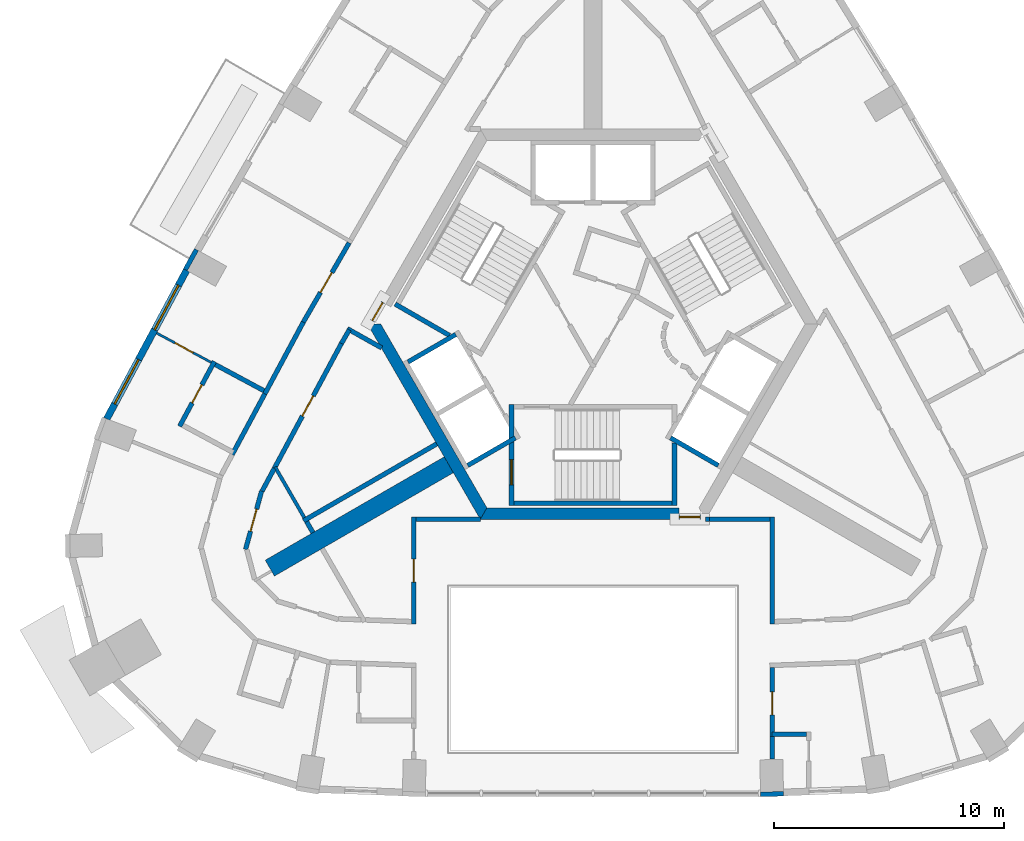
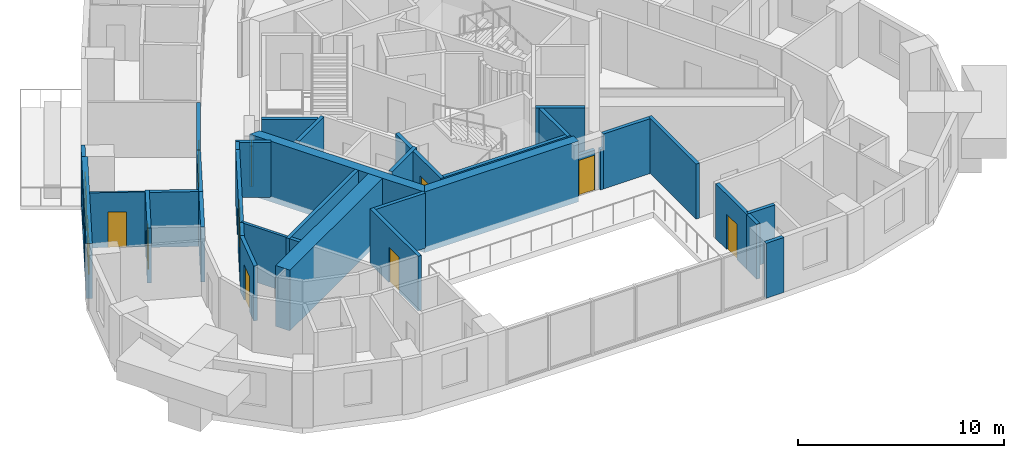
# One storey, part 4 of 11: 37 walls, 10 doors, 2 windows, 12 openings.
"""IFC4 building model written with IfcOpenShell, lengths in metres."""

from ifc_helpers import new_model, si_unit, direction, frame, frame_2d, origin, place, context, subcontext, project, spatial, polyline, rectangle, outline, extrude, material, layer, layer_set, type_object, element, fill, save


model = new_model("IFC4")

# Units and contexts
model_context = context("Model", 3, precision=1e-05, world=origin(), true_north=direction((0.0, 1.0)))
body_context = subcontext(model_context, "Body", "Model", "MODEL_VIEW")
ifc_project = project(units=[si_unit("LENGTHUNIT", "METRE"), si_unit("AREAUNIT", "SQUARE_METRE"), si_unit("VOLUMEUNIT", "CUBIC_METRE"), si_unit("PLANEANGLEUNIT", "RADIAN"), si_unit("MASSUNIT", "GRAM", prefix="KILO")], contexts=[model_context])

# Site, building, storey
site_placement = place(None, origin())
site = spatial("IfcSite", under=ifc_project, at=site_placement, CompositionType="ELEMENT")
building_placement = place(site_placement, origin())
building = spatial("IfcBuilding", under=site, at=building_placement, Name="Entoto Arch Interchange Tower", CompositionType="ELEMENT")
storey_placement = place(building_placement, frame((0.0, 0.0, 304.39990234375)))
storey = spatial("IfcBuildingStorey", under=building, at=storey_placement, Name="L71", CompositionType="ELEMENT", Elevation=304.39990234375)

# Wall
ifc_material_1 = material(Name="Concrete C40/50", Category="concrete")
ifc_layer_1 = layer(ifc_material_1, 0.800048828125)
ifc_layer_set_1 = layer_set([ifc_layer_1], Name="Concrete C40/50")
wall_type_1 = type_object("IfcWallType", Name="Buttress wall 800 C40/50", PredefinedType="SHEAR", material=ifc_layer_set_1)
wall_1_placement = place(storey_placement, frame((-6.279052734375, -3.625, -0.33984375), z_axis=(0.0, 0.0, 1.0), x_axis=(-0.866017533419, -0.500013631625, 0.0)))
element("IfcWall", 1, at=wall_1_placement, inside=storey, type_object=wall_type_1, Name="Buttress wall SW L71", PredefinedType="SHEAR", context=body_context, shape_type="SweptSolid", body=[
    extrude(rectangle(XDim=8.999755859375, YDim=0.800048828125, at=frame_2d((4.5, 0.0))), origin(), (0.0, 0.0, 1.0), 3.599853515625),
])

# Wall, opening, door
ifc_material_2 = material(Name="Reinforced concrete C40/50", Category="concrete")
ifc_layer_2 = layer(ifc_material_2, 0.199951171875)
ifc_layer_set_2 = layer_set([ifc_layer_2], Name="Reinforced concrete C40/50")
wall_type_2 = type_object("IfcWallType", Name="CORE GAP INFILL WALL", PredefinedType="PARTITIONING", material=ifc_layer_set_2)
wall_2_placement = place(storey_placement, frame((3.75, -5.89990234375, 0.0), z_axis=(0.0, 0.0, 1.0), x_axis=(1.0, 0.0, 0.0)))
wall_2 = element("IfcWall", 2, at=wall_2_placement, inside=storey, type_object=wall_type_2, Name="wall:L71:gap1", PredefinedType="PARTITIONING", context=body_context, shape_type="SweptSolid", body=[
    extrude(rectangle(XDim=0.926025390625, YDim=0.199951171875, at=frame_2d((0.462890625, 0.0))), origin(), (0.0, 0.0, 1.0), 2.400146484375),
])
opening_1_placement = place(wall_2_placement, frame((0.01708984375, 0.0, 0.0)))
opening_1 = element("IfcOpeningElement", 3, at=opening_1_placement, cuts=wall_2, Name="Opening L71-D91", PredefinedType="OPENING", context=body_context, shape_type="SweptSolid", body=[
    extrude(rectangle(XDim=0.89990234375, YDim=2.10009765625, at=frame_2d((0.449951171875, 1.050048828125))), frame((0.0, 0.10986328125, 0.0), z_axis=(0.0, -1.0, 0.0), x_axis=(1.0, 0.0, 0.0)), (0.0, 0.0, 1.0), 0.219970703125),
])
ifc_material_3 = material(Name="Fire-rated Steel S235 door and frame", Category="steel")
door_type_1 = type_object("IfcDoorType", Name="DOOR FD-09 900x2100", OperationType="SINGLE_SWING_LEFT", PredefinedType="DOOR", material=ifc_material_3)
door_1_placement = place(opening_1_placement, origin())
door_1 = element("IfcDoor", 4, at=door_1_placement, inside=storey, type_object=door_type_1, Name="door:L71:gap1", OperationType="SINGLE_SWING_LEFT", OverallHeight=2.10009765625, OverallWidth=0.89990234375, PredefinedType="DOOR", context=body_context, shape_type="SweptSolid", body=[
    extrude(rectangle(XDim=0.89990234375, YDim=2.10009765625, at=frame_2d((0.449951171875, 1.050048828125))), frame((0.0, 0.02490234375, 0.0), z_axis=(0.0, -1.0, 0.0), x_axis=(1.0, 0.0, 0.0)), (0.0, 0.0, 1.0), 0.050048828125),
])
fill(opening_1, door_1)

wall_3_placement = place(storey_placement, frame((-9.14990234375, 3.451904296875, 0.0), z_axis=(0.0, 0.0, 1.0), x_axis=(-0.500079945886, -0.865979242085, 0.0)))
wall_3 = element("IfcWall", 5, at=wall_3_placement, inside=storey, type_object=wall_type_2, Name="wall:L71:gap3", PredefinedType="PARTITIONING", context=body_context, shape_type="SweptSolid", body=[
    extrude(rectangle(XDim=0.926025390625, YDim=0.199951171875, at=frame_2d((0.462890625, 0.0))), origin(), (0.0, 0.0, 1.0), 2.400146484375),
])
opening_2_placement = place(wall_3_placement, frame((0.01708984375, 0.0, 0.0)))
opening_2 = element("IfcOpeningElement", 6, at=opening_2_placement, cuts=wall_3, Name="Opening L71-D93", PredefinedType="OPENING", context=body_context, shape_type="SweptSolid", body=[
    extrude(rectangle(XDim=0.89990234375, YDim=2.10009765625, at=frame_2d((0.449951171875, 1.050048828125))), frame((0.0, 0.10986328125, 0.0), z_axis=(0.0, -1.0, 0.0), x_axis=(1.0, 0.0, 0.0)), (0.0, 0.0, 1.0), 0.219970703125),
])
door_2_placement = place(opening_2_placement, origin())
door_2 = element("IfcDoor", 7, at=door_2_placement, inside=storey, type_object=door_type_1, Name="door:L71:gap3", OperationType="SINGLE_SWING_LEFT", OverallHeight=2.10009765625, OverallWidth=0.89990234375, PredefinedType="DOOR", context=body_context, shape_type="SweptSolid", body=[
    extrude(rectangle(XDim=0.89990234375, YDim=2.10009765625, at=frame_2d((0.449951171875, 1.050048828125))), frame((0.0, 0.02490234375, 0.0), z_axis=(0.0, -1.0, 0.0), x_axis=(1.0, 0.0, 0.0)), (0.0, 0.0, 1.0), 0.050048828125),
])
fill(opening_2, door_2)

# Walls
ifc_layer_3 = layer(ifc_material_1, 0.5)
ifc_layer_set_3 = layer_set([ifc_layer_3], Name="Concrete C40/50")
wall_type_3 = type_object("IfcWallType", Name="Core wall 500 C40/50", PredefinedType="SHEAR", material=ifc_layer_set_3)
wall_4_placement = place(storey_placement, frame((0.0, 0.0, -0.33984375)))
element("IfcWall", 8, at=wall_4_placement, inside=storey, type_object=wall_type_3, Name="Core wall SW L71", PredefinedType="SHEAR", context=body_context, shape_type="SweptSolid", body=[
    extrude(outline(polyline([(-9.81494140625, 2.5), (-4.906982421875, -6.0), (-4.618896484375, -5.5), (-9.238037109375, 2.5), (-9.81494140625, 2.5)])), origin(), (0.0, 0.0, 1.0), 3.599853515625),
])
wall_5_placement = place(storey_placement, frame((0.0, 0.0, -0.33984375)))
element("IfcWall", 9, at=wall_5_placement, inside=storey, type_object=wall_type_3, Name="Core wall S L71", PredefinedType="SHEAR", context=body_context, shape_type="SweptSolid", body=[
    extrude(outline(polyline([(3.75, -6.0), (3.75, -5.5), (-4.618896484375, -5.5), (-4.906982421875, -6.0), (3.75, -6.0)])), origin(), (0.0, 0.0, 1.0), 3.599853515625),
])
ifc_layer_4 = layer(ifc_material_1, 0.199951171875)
ifc_layer_set_4 = layer_set([ifc_layer_4], Name="Concrete C40/50")
wall_type_4 = type_object("IfcWallType", Name="LIFT SHAFT WALL 200", PredefinedType="STANDARD", material=ifc_layer_set_4)
wall_6_placement = place(storey_placement, frame((-5.97705078125, 2.052001953125, 0.0), z_axis=(0.0, 0.0, 1.0), x_axis=(-0.865973769406, -0.500089422704, 0.0)))
element("IfcWall", 10, at=wall_6_placement, inside=storey, type_object=wall_type_4, Name="Shaft wall SW1 cross 1", PredefinedType="STANDARD", context=body_context, shape_type="SweptSolid", body=[
    extrude(rectangle(XDim=2.3994140625, YDim=0.199951171875, at=frame_2d((1.19970703125, 0.0))), origin(), (0.0, 0.0, 1.0), 3.260009765625),
])
for number, where, z_axis, x_axis, name in (
    (11, (-3.376953125, -2.451904296875, 0.0), (0.0, 0.0, 1.0), (-0.865955154139, -0.50012165622, 0.0), "Shaft wall SW1 cross 3"),
    (12, (3.376953125, -2.451904296875, 0.0), (0.0, 0.0, 1.0), (0.865955154139, -0.50012165622, 0.0), "Shaft wall SE1 cross 1"),
):
    element("IfcWall", number, at=place(storey_placement, frame(where, z_axis=z_axis, x_axis=x_axis)), inside=storey, type_object=wall_type_4, Name=name, PredefinedType="STANDARD", context=body_context, shape_type="SweptSolid", body=[
        extrude(rectangle(XDim=2.39990234375, YDim=0.199951171875, at=frame_2d((1.199951171875, 0.0))), origin(), (0.0, 0.0, 1.0), 3.260009765625),
    ])

# Wall, opening, door
ifc_material_4 = material(Name="Gypsum board partition on steel studs", Category="steel")
ifc_layer_5 = layer(ifc_material_4, 0.10009765625)
ifc_layer_set_5 = layer_set([ifc_layer_5], Name="Gypsum board partition on steel studs")
wall_type_5 = type_object("IfcWallType", Name="PARTITION 100", PredefinedType="PARTITIONING", material=ifc_layer_set_5)
wall_7_placement = place(storey_placement, frame((-16.62109375, 0.83203125, 0.0), z_axis=(0.0, 0.0, 1.0), x_axis=(-0.880914863524, 0.47327476504, 0.0)))
wall_7 = element("IfcWall", 13, at=wall_7_placement, inside=storey, type_object=wall_type_5, Name="wall:L71:p120", PredefinedType="PARTITIONING", context=body_context, shape_type="SweptSolid", body=[
    extrude(rectangle(XDim=2.700439453125, YDim=0.10009765625, at=frame_2d((1.35009765625, 0.0))), origin(), (0.0, 0.0, 1.0), 3.260009765625),
])
opening_3_placement = place(wall_7_placement, frame((0.89990234375, 0.0, 0.0)))
opening_3 = element("IfcOpeningElement", 14, at=opening_3_placement, cuts=wall_7, Name="Opening L71-D19", PredefinedType="OPENING", context=body_context, shape_type="SweptSolid", body=[
    extrude(rectangle(XDim=0.89990234375, YDim=2.10009765625, at=frame_2d((0.449951171875, 1.050048828125))), frame((0.0, 0.06005859375, 0.0), z_axis=(0.0, -1.0, 0.0), x_axis=(1.0, 0.0, 0.0)), (0.0, 0.0, 1.0), 0.1201171875),
])
ifc_material_5 = material(Name="Timber door leaf in Steel S235 frame", Category="steel")
door_type_2 = type_object("IfcDoorType", Name="DOOR DS-09 900x2100", OperationType="SINGLE_SWING_LEFT", PredefinedType="DOOR", material=ifc_material_5)
door_3_placement = place(opening_3_placement, origin())
door_3 = element("IfcDoor", 15, at=door_3_placement, inside=storey, type_object=door_type_2, Name="door:L71:19", OperationType="SINGLE_SWING_LEFT", OverallHeight=2.10009765625, OverallWidth=0.89990234375, PredefinedType="DOOR", context=body_context, shape_type="SweptSolid", body=[
    extrude(rectangle(XDim=0.89990234375, YDim=2.10009765625, at=frame_2d((0.449951171875, 1.050048828125))), frame((0.0, 0.02490234375, 0.0), z_axis=(0.0, -1.0, 0.0), x_axis=(1.0, 0.0, 0.0)), (0.0, 0.0, 1.0), 0.050048828125),
])
fill(opening_3, door_3)

# Walls
ifc_layer_6 = layer(ifc_material_4, 0.14990234375)
ifc_layer_set_6 = layer_set([ifc_layer_6], Name="Gypsum board partition on steel studs")
wall_type_6 = type_object("IfcWallType", Name="PARTITION 150", PredefinedType="PARTITIONING", material=ifc_layer_set_6)
wall_8_placement = place(storey_placement, frame((-12.570068359375, -5.927001953125, 0.0), z_axis=(0.0, 0.0, 1.0), x_axis=(-0.500197803108, 0.865911171983, 0.0)))
element("IfcWall", 16, at=wall_8_placement, inside=storey, type_object=wall_type_6, Name="wall:L71:p086", PredefinedType="PARTITIONING", context=body_context, shape_type="SweptSolid", body=[
    extrude(rectangle(XDim=2.548828125, YDim=0.14990234375, at=frame_2d((1.2744140625, 0.0))), origin(), (0.0, 0.0, 1.0), 3.260009765625),
])
ifc_layer_7 = layer(ifc_material_4, 0.199951171875)
ifc_layer_set_7 = layer_set([ifc_layer_7], Name="Gypsum board partition on steel studs")
wall_type_7 = type_object("IfcWallType", Name="PARTITION 200", PredefinedType="PARTITIONING", material=ifc_layer_set_7)
wall_9_placement = place(storey_placement, frame((-9.202880859375, 1.465087890625, 0.0), z_axis=(0.0, 0.0, 1.0), x_axis=(-0.872243753731, 0.489071399775, 0.0)))
element("IfcWall", 17, at=wall_9_placement, inside=storey, type_object=wall_type_7, Name="wall:L71:p021", PredefinedType="PARTITIONING", context=body_context, shape_type="SweptSolid", body=[
    extrude(rectangle(XDim=1.71533203125, YDim=0.199951171875, at=frame_2d((0.857666015625, 0.0))), origin(), (0.0, 0.0, 1.0), 3.260009765625),
])
wall_10_placement = place(storey_placement, frame((-10.612060546875, 2.2548828125, 0.0), z_axis=(0.0, 0.0, 1.0), x_axis=(-0.499916971989, -0.866073334723, 0.0)))
element("IfcWall", 18, at=wall_10_placement, inside=storey, type_object=wall_type_7, Name="wall:L71:p022", PredefinedType="PARTITIONING", context=body_context, shape_type="SweptSolid", body=[
    extrude(rectangle(XDim=0.68798828125, YDim=0.199951171875, at=frame_2d((0.343994140625, 0.0))), origin(), (0.0, 0.0, 1.0), 3.260009765625),
])

# Wall, opening, door
wall_11_placement = place(storey_placement, frame((-10.9560546875, 1.658935546875, 0.0), z_axis=(0.0, 0.0, 1.0), x_axis=(-0.473095976848, -0.881010894762, 0.0)))
wall_11 = element("IfcWall", 19, at=wall_11_placement, inside=storey, type_object=wall_type_7, Name="wall:L71:p023", PredefinedType="PARTITIONING", context=body_context, shape_type="SweptSolid", body=[
    extrude(rectangle(XDim=6.18017578125, YDim=0.199951171875, at=frame_2d((3.090087890625, 0.0))), origin(), (0.0, 0.0, 1.0), 3.260009765625),
])
opening_4_placement = place(wall_11_placement, frame((2.590087890625, 0.0, 0.0)))
opening_4 = element("IfcOpeningElement", 20, at=opening_4_placement, cuts=wall_11, Name="Opening L71-D28", PredefinedType="OPENING", context=body_context, shape_type="SweptSolid", body=[
    extrude(rectangle(XDim=1.0, YDim=2.10009765625, at=frame_2d((0.5, 1.050048828125))), frame((0.0, 0.10986328125, 0.0), z_axis=(0.0, -1.0, 0.0), x_axis=(1.0, 0.0, 0.0)), (0.0, 0.0, 1.0), 0.219970703125),
])
door_type_3 = type_object("IfcDoorType", Name="DOOR DS-10 1000x2100", OperationType="SINGLE_SWING_LEFT", PredefinedType="DOOR", material=ifc_material_5)
door_4_placement = place(opening_4_placement, origin())
door_4 = element("IfcDoor", 21, at=door_4_placement, inside=storey, type_object=door_type_3, Name="door:L71:28", OperationType="SINGLE_SWING_LEFT", OverallHeight=2.10009765625, OverallWidth=1.0, PredefinedType="DOOR", context=body_context, shape_type="SweptSolid", body=[
    extrude(rectangle(XDim=1.0, YDim=2.10009765625, at=frame_2d((0.5, 1.050048828125))), frame((0.0, 0.02490234375, 0.0), z_axis=(0.0, -1.0, 0.0), x_axis=(1.0, 0.0, 0.0)), (0.0, 0.0, 1.0), 0.050048828125),
])
fill(opening_4, door_4)

# Wall
wall_12_placement = place(storey_placement, frame((-13.8798828125, -3.785888671875, 0.0), z_axis=(0.0, 0.0, 1.0), x_axis=(-0.473500327913, -0.880793641817, 0.0)))
element("IfcWall", 22, at=wall_12_placement, inside=storey, type_object=wall_type_7, Name="wall:L71:p025", PredefinedType="PARTITIONING", context=body_context, shape_type="SweptSolid", body=[
    extrude(rectangle(XDim=1.117431640625, YDim=0.199951171875, at=frame_2d((0.55859375, 0.0))), origin(), (0.0, 0.0, 1.0), 3.260009765625),
])

# Wall, opening, door
wall_13_placement = place(storey_placement, frame((-14.428955078125, -4.760986328125, 0.0), z_axis=(0.0, 0.0, 1.0), x_axis=(-0.265321869293, -0.964159896321, 0.0)))
wall_13 = element("IfcWall", 23, at=wall_13_placement, inside=storey, type_object=wall_type_7, Name="wall:L71:p026", PredefinedType="PARTITIONING", context=body_context, shape_type="SweptSolid", body=[
    extrude(rectangle(XDim=2.641845703125, YDim=0.199951171875, at=frame_2d((1.32080078125, 0.0))), origin(), (0.0, 0.0, 1.0), 3.260009765625),
])
opening_5_placement = place(wall_13_placement, frame((0.821044921875, 0.0, 0.0)))
opening_5 = element("IfcOpeningElement", 24, at=opening_5_placement, cuts=wall_13, Name="Opening L71-D30", PredefinedType="OPENING", context=body_context, shape_type="SweptSolid", body=[
    extrude(rectangle(XDim=1.0, YDim=2.10009765625, at=frame_2d((0.5, 1.050048828125))), frame((0.0, 0.10986328125, 0.0), z_axis=(0.0, -1.0, 0.0), x_axis=(1.0, 0.0, 0.0)), (0.0, 0.0, 1.0), 0.219970703125),
])
door_5_placement = place(opening_5_placement, origin())
door_5 = element("IfcDoor", 25, at=door_5_placement, inside=storey, type_object=door_type_3, Name="door:L71:30", OperationType="SINGLE_SWING_LEFT", OverallHeight=2.10009765625, OverallWidth=1.0, PredefinedType="DOOR", context=body_context, shape_type="SweptSolid", body=[
    extrude(rectangle(XDim=1.0, YDim=2.10009765625, at=frame_2d((0.5, 1.050048828125))), frame((0.0, 0.02490234375, 0.0), z_axis=(0.0, -1.0, 0.0), x_axis=(1.0, 0.0, 0.0)), (0.0, 0.0, 1.0), 0.050048828125),
])
fill(opening_5, door_5)

# Wall
wall_14_placement = place(storey_placement, frame((-14.2900390625, -0.532958984375, 0.0), z_axis=(0.0, 0.0, 1.0), x_axis=(0.473161350875, 0.880975786295, 0.0)))
element("IfcWall", 26, at=wall_14_placement, inside=storey, type_object=wall_type_7, Name="wall:L71:p052", PredefinedType="PARTITIONING", context=body_context, shape_type="SweptSolid", body=[
    extrude(rectangle(XDim=3.5380859375, YDim=0.199951171875, at=frame_2d((1.76904296875, 0.0))), origin(), (0.0, 0.0, 1.0), 3.260009765625),
])

# Wall, opening, door
wall_15_placement = place(storey_placement, frame((-12.615966796875, 2.583984375, 0.0), z_axis=(0.0, 0.0, 1.0), x_axis=(0.50008212199, 0.86597798544, 0.0)))
wall_15 = element("IfcWall", 27, at=wall_15_placement, inside=storey, type_object=wall_type_7, Name="wall:L71:p053", PredefinedType="PARTITIONING", context=body_context, shape_type="SweptSolid", body=[
    extrude(rectangle(XDim=3.995361328125, YDim=0.199951171875, at=frame_2d((1.99755859375, 0.0))), origin(), (0.0, 0.0, 1.0), 3.260009765625),
])
opening_6_placement = place(wall_15_placement, frame((1.498046875, 0.0, 0.0)))
opening_6 = element("IfcOpeningElement", 28, at=opening_6_placement, cuts=wall_15, Name="Opening L71-D18", PredefinedType="OPENING", context=body_context, shape_type="SweptSolid", body=[
    extrude(rectangle(XDim=1.0, YDim=2.10009765625, at=frame_2d((0.5, 1.050048828125))), frame((0.0, 0.10986328125, 0.0), z_axis=(0.0, -1.0, 0.0), x_axis=(1.0, 0.0, 0.0)), (0.0, 0.0, 1.0), 0.219970703125),
])
door_type_4 = type_object("IfcDoorType", Name="DOOR FD-10 1000x2100", OperationType="SINGLE_SWING_LEFT", PredefinedType="DOOR", material=ifc_material_3)
door_6_placement = place(opening_6_placement, origin())
door_6 = element("IfcDoor", 29, at=door_6_placement, inside=storey, type_object=door_type_4, Name="door:L71:18", OperationType="SINGLE_SWING_LEFT", OverallHeight=2.10009765625, OverallWidth=1.0, PredefinedType="DOOR", context=body_context, shape_type="SweptSolid", body=[
    extrude(rectangle(XDim=1.0, YDim=2.10009765625, at=frame_2d((0.5, 1.050048828125))), frame((0.0, 0.02490234375, 0.0), z_axis=(0.0, -1.0, 0.0), x_axis=(1.0, 0.0, 0.0)), (0.0, 0.0, 1.0), 0.050048828125),
])
fill(opening_6, door_6)

# Walls
wall_16_placement = place(storey_placement, frame((-15.7099609375, -3.176025390625, 0.0), z_axis=(0.0, 0.0, 1.0), x_axis=(0.473255284848, 0.880925329051, 0.0)))
element("IfcWall", 30, at=wall_16_placement, inside=storey, type_object=wall_type_7, Name="wall:L71:p055", PredefinedType="PARTITIONING", context=body_context, shape_type="SweptSolid", body=[
    extrude(rectangle(XDim=3.000244140625, YDim=0.199951171875, at=frame_2d((1.5, 0.0))), origin(), (0.0, 0.0, 1.0), 3.260009765625),
])
wall_17_placement = place(storey_placement, frame((4.907958984375, -5.9990234375, 0.0), z_axis=(0.0, 0.0, 1.0), x_axis=(1.0, 0.0, 0.0)))
element("IfcWall", 31, at=wall_17_placement, inside=storey, type_object=wall_type_7, Name="wall:L71:p075", PredefinedType="PARTITIONING", context=body_context, shape_type="SweptSolid", body=[
    extrude(rectangle(XDim=0.16796875, YDim=0.199951171875, at=frame_2d((0.083984375, 0.0))), origin(), (0.0, 0.0, 1.0), 2.400146484375),
])
wall_18_placement = place(storey_placement, frame((7.800048828125, -5.89892578125, 0.0), z_axis=(0.0, 0.0, 1.0), x_axis=(0.0, -1.0, 0.0)))
element("IfcWall", 32, at=wall_18_placement, inside=storey, type_object=wall_type_7, Name="wall:L71:p076", PredefinedType="PARTITIONING", context=body_context, shape_type="SweptSolid", body=[
    extrude(rectangle(XDim=4.66015625, YDim=0.199951171875, at=frame_2d((2.330078125, 0.0))), origin(), (0.0, 0.0, 1.0), 3.260009765625),
])

# Wall, opening, door
wall_19_placement = place(storey_placement, frame((-7.800048828125, -10.55908203125, 0.0), z_axis=(0.0, 0.0, 1.0), x_axis=(0.0, 1.0, 0.0)))
wall_19 = element("IfcWall", 33, at=wall_19_placement, inside=storey, type_object=wall_type_7, Name="wall:L71:p077", PredefinedType="PARTITIONING", context=body_context, shape_type="SweptSolid", body=[
    extrude(rectangle(XDim=4.66015625, YDim=0.199951171875, at=frame_2d((2.330078125, 0.0))), origin(), (0.0, 0.0, 1.0), 3.260009765625),
])
opening_7_placement = place(wall_19_placement, frame((1.830078125, 0.0, 0.0)))
opening_7 = element("IfcOpeningElement", 34, at=opening_7_placement, cuts=wall_19, Name="Opening L71-D29", PredefinedType="OPENING", context=body_context, shape_type="SweptSolid", body=[
    extrude(rectangle(XDim=1.0, YDim=2.10009765625, at=frame_2d((0.5, 1.050048828125))), frame((0.0, 0.10986328125, 0.0), z_axis=(0.0, -1.0, 0.0), x_axis=(1.0, 0.0, 0.0)), (0.0, 0.0, 1.0), 0.219970703125),
])
door_7_placement = place(opening_7_placement, origin())
door_7 = element("IfcDoor", 35, at=door_7_placement, inside=storey, type_object=door_type_3, Name="door:L71:29", OperationType="SINGLE_SWING_LEFT", OverallHeight=2.10009765625, OverallWidth=1.0, PredefinedType="DOOR", context=body_context, shape_type="SweptSolid", body=[
    extrude(rectangle(XDim=1.0, YDim=2.10009765625, at=frame_2d((0.5, 1.050048828125))), frame((0.0, 0.02490234375, 0.0), z_axis=(0.0, -1.0, 0.0), x_axis=(1.0, 0.0, 0.0)), (0.0, 0.0, 1.0), 0.050048828125),
])
fill(opening_7, door_7)

# Wall
wall_20_placement = place(storey_placement, frame((-7.699951171875, -5.9990234375, 0.0), z_axis=(0.0, 0.0, 1.0), x_axis=(1.0, 0.0, 0.0)))
element("IfcWall", 36, at=wall_20_placement, inside=storey, type_object=wall_type_7, Name="wall:L71:p078", PredefinedType="PARTITIONING", context=body_context, shape_type="SweptSolid", body=[
    extrude(rectangle(XDim=2.7919921875, YDim=0.199951171875, at=frame_2d((1.39599609375, 0.0))), origin(), (0.0, 0.0, 1.0), 3.260009765625),
])

# Wall, opening, door
wall_21_placement = place(storey_placement, frame((7.800048828125, -12.4599609375, 0.0), z_axis=(0.0, 0.0, 1.0), x_axis=(0.0, -1.0, 0.0)))
wall_21 = element("IfcWall", 37, at=wall_21_placement, inside=storey, type_object=wall_type_7, Name="wall:L71:p079", PredefinedType="PARTITIONING", context=body_context, shape_type="SweptSolid", body=[
    extrude(rectangle(XDim=3.004150390625, YDim=0.199951171875, at=frame_2d((1.501953125, 0.0))), origin(), (0.0, 0.0, 1.0), 3.260009765625),
])
opening_8_placement = place(wall_21_placement, frame((1.052001953125, 0.0, 0.0)))
opening_8 = element("IfcOpeningElement", 38, at=opening_8_placement, cuts=wall_21, Name="Opening L71-D01", PredefinedType="OPENING", context=body_context, shape_type="SweptSolid", body=[
    extrude(rectangle(XDim=1.0, YDim=2.10009765625, at=frame_2d((0.5, 1.050048828125))), frame((0.0, 0.10986328125, 0.0), z_axis=(0.0, -1.0, 0.0), x_axis=(1.0, 0.0, 0.0)), (0.0, 0.0, 1.0), 0.219970703125),
])
door_8_placement = place(opening_8_placement, origin())
door_8 = element("IfcDoor", 39, at=door_8_placement, inside=storey, type_object=door_type_4, Name="door:L71:01", OperationType="SINGLE_SWING_RIGHT", OverallHeight=2.10009765625, OverallWidth=1.0, PredefinedType="DOOR", context=body_context, shape_type="SweptSolid", body=[
    extrude(rectangle(XDim=1.0, YDim=2.10009765625, at=frame_2d((0.5, 1.050048828125))), frame((0.0, 0.02490234375, 0.0), z_axis=(0.0, -1.0, 0.0), x_axis=(1.0, 0.0, 0.0)), (0.0, 0.0, 1.0), 0.050048828125),
])
fill(opening_8, door_8)

# Walls
wall_22_placement = place(storey_placement, frame((7.800048828125, -15.464111328125, 0.0), z_axis=(0.0, 0.0, 1.0), x_axis=(0.0, -1.0, 0.0)))
element("IfcWall", 40, at=wall_22_placement, inside=storey, type_object=wall_type_7, Name="wall:L71:p080", PredefinedType="PARTITIONING", context=body_context, shape_type="SweptSolid", body=[
    extrude(rectangle(XDim=0.97998046875, YDim=0.199951171875, at=frame_2d((0.489990234375, 0.0))), origin(), (0.0, 0.0, 1.0), 3.260009765625),
])
wall_23_placement = place(storey_placement, frame((-6.803955078125, -2.714111328125, 0.0), z_axis=(0.0, 0.0, 1.0), x_axis=(-0.866057565063, -0.499944290893, 0.0)))
element("IfcWall", 41, at=wall_23_placement, inside=storey, type_object=wall_type_7, Name="wall:L71:p085", PredefinedType="PARTITIONING", context=body_context, shape_type="SweptSolid", body=[
    extrude(rectangle(XDim=6.700439453125, YDim=0.199951171875, at=frame_2d((3.35009765625, 0.0))), origin(), (0.0, 0.0, 1.0), 3.260009765625),
])
wall_24_placement = place(storey_placement, frame((-12.194091796875, -6.577880859375, 0.0), z_axis=(0.0, 0.0, 1.0), x_axis=(-0.500809139387, 0.865557742676, 0.0)))
element("IfcWall", 42, at=wall_24_placement, inside=storey, type_object=wall_type_7, Name="wall:L71:p087", PredefinedType="PARTITIONING", context=body_context, shape_type="SweptSolid", body=[
    extrude(rectangle(XDim=0.55078125, YDim=0.199951171875, at=frame_2d((0.275390625, 0.0))), origin(), (0.0, 0.0, 1.0), 3.260009765625),
])
wall_25_placement = place(storey_placement, frame((9.300048828125, -15.364013671875, 0.0), z_axis=(0.0, 0.0, 1.0), x_axis=(-1.0, 0.0, 0.0)))
element("IfcWall", 43, at=wall_25_placement, inside=storey, type_object=wall_type_7, Name="wall:L71:p091", PredefinedType="PARTITIONING", context=body_context, shape_type="SweptSolid", body=[
    extrude(rectangle(XDim=1.5, YDim=0.199951171875, at=frame_2d((0.75, 0.0))), origin(), (0.0, 0.0, 1.0), 3.260009765625),
])
wall_26_placement = place(storey_placement, frame((-14.3310546875, -0.39794921875, 0.0), z_axis=(0.0, 0.0, 1.0), x_axis=(-0.880875830026, 0.473347411608, 0.0)))
element("IfcWall", 44, at=wall_26_placement, inside=storey, type_object=wall_type_7, Name="wall:L71:p121", PredefinedType="PARTITIONING", context=body_context, shape_type="SweptSolid", body=[
    extrude(rectangle(XDim=2.39990234375, YDim=0.199951171875, at=frame_2d((1.199951171875, 0.0))), origin(), (0.0, 0.0, 1.0), 3.260009765625),
])

# Wall, opening, door
wall_27_placement = place(storey_placement, frame((-16.486083984375, 0.873046875, 0.0), z_axis=(0.0, 0.0, 1.0), x_axis=(-0.473116768279, -0.88099972961, 0.0)))
wall_27 = element("IfcWall", 45, at=wall_27_placement, inside=storey, type_object=wall_type_7, Name="wall:L71:p122", PredefinedType="PARTITIONING", context=body_context, shape_type="SweptSolid", body=[
    extrude(rectangle(XDim=3.199951171875, YDim=0.199951171875, at=frame_2d((1.60009765625, 0.0))), origin(), (0.0, 0.0, 1.0), 3.260009765625),
])
opening_9_placement = place(wall_27_placement, frame((1.14990234375, 0.0, 0.0)))
opening_9 = element("IfcOpeningElement", 46, at=opening_9_placement, cuts=wall_27, Name="Opening L71-D20", PredefinedType="OPENING", context=body_context, shape_type="SweptSolid", body=[
    extrude(rectangle(XDim=0.89990234375, YDim=2.10009765625, at=frame_2d((0.449951171875, 1.050048828125))), frame((0.0, 0.10986328125, 0.0), z_axis=(0.0, -1.0, 0.0), x_axis=(1.0, 0.0, 0.0)), (0.0, 0.0, 1.0), 0.219970703125),
])
door_9_placement = place(opening_9_placement, origin())
door_9 = element("IfcDoor", 47, at=door_9_placement, inside=storey, type_object=door_type_2, Name="door:L71:20", OperationType="SINGLE_SWING_LEFT", OverallHeight=2.10009765625, OverallWidth=0.89990234375, PredefinedType="DOOR", context=body_context, shape_type="SweptSolid", body=[
    extrude(rectangle(XDim=0.89990234375, YDim=2.10009765625, at=frame_2d((0.449951171875, 1.050048828125))), frame((0.0, 0.02490234375, 0.0), z_axis=(0.0, -1.0, 0.0), x_axis=(1.0, 0.0, 0.0)), (0.0, 0.0, 1.0), 0.050048828125),
])
fill(opening_9, door_9)

# Wall
wall_28_placement = place(storey_placement, frame((5.075927734375, -5.9990234375, 0.0), z_axis=(0.0, 0.0, 1.0), x_axis=(1.0, 0.0, 0.0)))
element("IfcWall", 48, at=wall_28_placement, inside=storey, type_object=wall_type_7, Name="wall:L71:p075", PredefinedType="PARTITIONING", context=body_context, shape_type="SweptSolid", body=[
    extrude(rectangle(XDim=2.6240234375, YDim=0.199951171875, at=frame_2d((1.31201171875, 0.0))), origin(), (0.0, 0.0, 1.0), 3.260009765625),
])

# Wall, opening, door
ifc_layer_8 = layer(ifc_material_1, 0.199951171875)
ifc_layer_set_8 = layer_set([ifc_layer_8], Name="Concrete C40/50")
wall_type_8 = type_object("IfcWallType", Name="STAIR ENCLOSURE WALL 200", PredefinedType="STANDARD", material=ifc_layer_set_8)
wall_29_placement = place(storey_placement, frame((-3.550048828125, -1.0, 0.0), z_axis=(0.0, 0.0, 1.0), x_axis=(0.0, -1.0, 0.0)))
wall_29 = element("IfcWall", 49, at=wall_29_placement, inside=storey, type_object=wall_type_8, Name="Stair wall ST-S near", PredefinedType="STANDARD", context=body_context, shape_type="SweptSolid", body=[
    extrude(rectangle(XDim=4.39990234375, YDim=0.199951171875, at=frame_2d((2.199951171875, 0.0))), origin(), (0.0, 0.0, 1.0), 3.260009765625),
])
opening_10_placement = place(wall_29_placement, frame((2.39990234375, 0.0, 0.0)))
opening_10 = element("IfcOpeningElement", 50, at=opening_10_placement, cuts=wall_29, Name="Opening SD-ST-S-L71-E", PredefinedType="OPENING", context=body_context, shape_type="SweptSolid", body=[
    extrude(rectangle(XDim=1.10009765625, YDim=2.199951171875, at=frame_2d((0.550048828125, 1.10009765625))), frame((0.0, 0.10986328125, 0.0), z_axis=(0.0, -1.0, 0.0), x_axis=(1.0, 0.0, 0.0)), (0.0, 0.0, 1.0), 0.219970703125),
])
ifc_material_6 = material(Name="Steel S235", Category="steel")
door_type_5 = type_object("IfcDoorType", Name="STAIR DOOR SD1 1100x2200", OperationType="SINGLE_SWING_LEFT", PredefinedType="DOOR", material=ifc_material_6)
door_10_placement = place(opening_10_placement, origin())
door_10 = element("IfcDoor", 51, at=door_10_placement, inside=storey, type_object=door_type_5, Name="Stair door ST-S L71 end", OperationType="SINGLE_SWING_LEFT", OverallHeight=2.199951171875, OverallWidth=1.10009765625, PredefinedType="DOOR", context=body_context, shape_type="SweptSolid", body=[
    extrude(rectangle(XDim=1.10009765625, YDim=2.199951171875, at=frame_2d((0.550048828125, 1.10009765625))), frame((0.0, 0.02490234375, 0.0), z_axis=(0.0, -1.0, 0.0), x_axis=(1.0, 0.0, 0.0)), (0.0, 0.0, 1.0), 0.050048828125),
])
fill(opening_10, door_10)

# Walls
wall_30_placement = place(storey_placement, frame((3.550048828125, -2.6669921875, 0.0), z_axis=(0.0, 0.0, 1.0), x_axis=(0.0, -1.0, 0.0)))
element("IfcWall", 52, at=wall_30_placement, inside=storey, type_object=wall_type_8, Name="Stair wall ST-S far", PredefinedType="STANDARD", context=body_context, shape_type="SweptSolid", body=[
    extrude(rectangle(XDim=2.73291015625, YDim=0.199951171875, at=frame_2d((1.366455078125, 0.0))), origin(), (0.0, 0.0, 1.0), 3.260009765625),
])
wall_31_placement = place(storey_placement, frame((-3.449951171875, -5.300048828125, 0.0), z_axis=(0.0, 0.0, 1.0), x_axis=(1.0, 0.0, 0.0)))
element("IfcWall", 53, at=wall_31_placement, inside=storey, type_object=wall_type_8, Name="Stair wall ST-S back", PredefinedType="STANDARD", context=body_context, shape_type="SweptSolid", body=[
    extrude(rectangle(XDim=6.89990234375, YDim=0.199951171875, at=frame_2d((3.449951171875, 0.0))), origin(), (0.0, 0.0, 1.0), 3.260009765625),
])
wall_32_placement = place(storey_placement, frame((-6.25, 2.010009765625, 0.0), z_axis=(0.0, 0.0, 1.0), x_axis=(-0.86611865017, 0.499838457731, 0.0)))
element("IfcWall", 54, at=wall_32_placement, inside=storey, type_object=wall_type_8, Name="Stair wall ST-NW far", PredefinedType="STANDARD", context=body_context, shape_type="SweptSolid", body=[
    extrude(rectangle(XDim=2.73291015625, YDim=0.199951171875, at=frame_2d((1.366455078125, 0.0))), origin(), (0.0, 0.0, 1.0), 3.260009765625),
])

# Wall, openings, windows
ifc_material_7 = material(Name="Welded tuff (ignimbrite) cladding, warm buff", Category="masonry")
ifc_layer_9 = layer(ifc_material_7, 0.300048828125)
ifc_layer_set_9 = layer_set([ifc_layer_9], Name="Welded tuff (ignimbrite) cladding, warm buff")
wall_type_9 = type_object("IfcWallType", Name="STONE INFILL WALL 300", PredefinedType="STANDARD", material=ifc_layer_set_9)
wall_33_placement = place(storey_placement, frame((-17.700927734375, 4.844970703125, 0.0), z_axis=(0.0, 0.0, 1.0), x_axis=(-0.473225522632, -0.880941317415, 0.0)))
wall_33 = element("IfcWall", 55, at=wall_33_placement, inside=storey, type_object=wall_type_9, Name="Facade wall NW-03 L71", PredefinedType="STANDARD", context=body_context, shape_type="SweptSolid", body=[
    extrude(rectangle(XDim=7.345458984375, YDim=0.300048828125, at=frame_2d((3.6728515625, 0.0))), origin(), (0.0, 0.0, 1.0), 3.260009765625),
])
opening_11_placement = place(wall_33_placement, frame((0.736083984375, 0.0, 0.89990234375)))
opening_11 = element("IfcOpeningElement", 56, at=opening_11_placement, cuts=wall_33, Name="Opening WH-A", PredefinedType="OPENING", context=body_context, shape_type="SweptSolid", body=[
    extrude(rectangle(XDim=2.199951171875, YDim=2.0, at=frame_2d((1.10009765625, 1.0))), frame((0.0, 0.16015625, 0.0), z_axis=(0.0, -1.0, 0.0), x_axis=(1.0, 0.0, 0.0)), (0.0, 0.0, 1.0), 0.320068359375),
])
opening_12_placement = place(wall_33_placement, frame((4.408935546875, 0.0, 0.89990234375)))
opening_12 = element("IfcOpeningElement", 57, at=opening_12_placement, cuts=wall_33, Name="Opening WH-A", PredefinedType="OPENING", context=body_context, shape_type="SweptSolid", body=[
    extrude(rectangle(XDim=2.199951171875, YDim=2.0, at=frame_2d((1.10009765625, 1.0))), frame((0.0, 0.16015625, 0.0), z_axis=(0.0, -1.0, 0.0), x_axis=(1.0, 0.0, 0.0)), (0.0, 0.0, 1.0), 0.320068359375),
])
ifc_material_8 = material(Name="Clear glass, low-e double glazed", Category="glass")
window_type = type_object("IfcWindowType", Name="WINDOW WH-A 2200x2000", PartitioningType="DOUBLE_PANEL_VERTICAL", PredefinedType="WINDOW", material=ifc_material_8)
window_1_placement = place(opening_11_placement, origin())
window_1 = element("IfcWindow", 58, at=window_1_placement, inside=storey, type_object=window_type, Name="Window WH-A NW-03 L71", OverallHeight=2.0, OverallWidth=2.199951171875, PartitioningType="SINGLE_PANEL", PredefinedType="WINDOW", context=body_context, shape_type="SweptSolid", body=[
    extrude(rectangle(XDim=2.199951171875, YDim=2.0, at=frame_2d((1.10009765625, 1.0))), frame((0.0, 0.030029296875, 0.0), z_axis=(0.0, -1.0, 0.0), x_axis=(1.0, 0.0, 0.0)), (0.0, 0.0, 1.0), 0.06005859375),
])
fill(opening_11, window_1)
window_2_placement = place(opening_12_placement, origin())
window_2 = element("IfcWindow", 59, at=window_2_placement, inside=storey, type_object=window_type, Name="Window WH-A NW-03 L71", OverallHeight=2.0, OverallWidth=2.199951171875, PartitioningType="SINGLE_PANEL", PredefinedType="WINDOW", context=body_context, shape_type="SweptSolid", body=[
    extrude(rectangle(XDim=2.199951171875, YDim=2.0, at=frame_2d((1.10009765625, 1.0))), frame((0.0, 0.030029296875, 0.0), z_axis=(0.0, -1.0, 0.0), x_axis=(1.0, 0.0, 0.0)), (0.0, 0.0, 1.0), 0.06005859375),
])
fill(opening_12, window_2)

# Walls
ifc_layer_10 = layer(ifc_material_7, 0.199951171875)
ifc_layer_set_10 = layer_set([ifc_layer_10], Name="Welded tuff (ignimbrite) cladding, warm buff")
wall_type_10 = type_object("IfcWallType", Name="STONE PIER CLADDING 200", PredefinedType="STANDARD", material=ifc_layer_set_10)
wall_34_placement = place(storey_placement, frame((-17.26611328125, 5.74609375, 0.0), z_axis=(0.0, 0.0, 1.0), x_axis=(-0.485850211157, -0.874042088414, 0.0)))
element("IfcWall", 60, at=wall_34_placement, inside=storey, type_object=wall_type_10, Name="Stone pier NW03 L71", PredefinedType="STANDARD", context=body_context, shape_type="SweptSolid", body=[
    extrude(rectangle(XDim=1.0, YDim=0.199951171875, at=frame_2d((0.5, 0.0))), origin(), (0.0, 0.0, 1.0), 3.260009765625),
])
wall_35_placement = place(storey_placement, frame((7.298095703125, -17.97412109375, 0.0), z_axis=(0.0, 0.0, 1.0), x_axis=(0.999799669399, 0.020015520725, 0.0)))
element("IfcWall", 61, at=wall_35_placement, inside=storey, type_object=wall_type_10, Name="Stone pier S03 L71", PredefinedType="STANDARD", context=body_context, shape_type="SweptSolid", body=[
    extrude(rectangle(XDim=1.000244140625, YDim=0.199951171875, at=frame_2d((0.5, 0.0))), origin(), (0.0, 0.0, 1.0), 3.260009765625),
])

save(model, "model.ifc")
